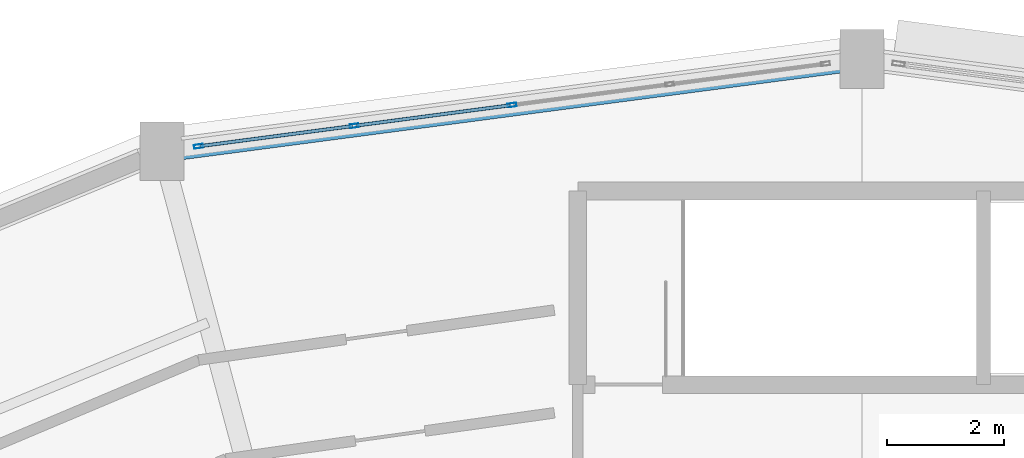
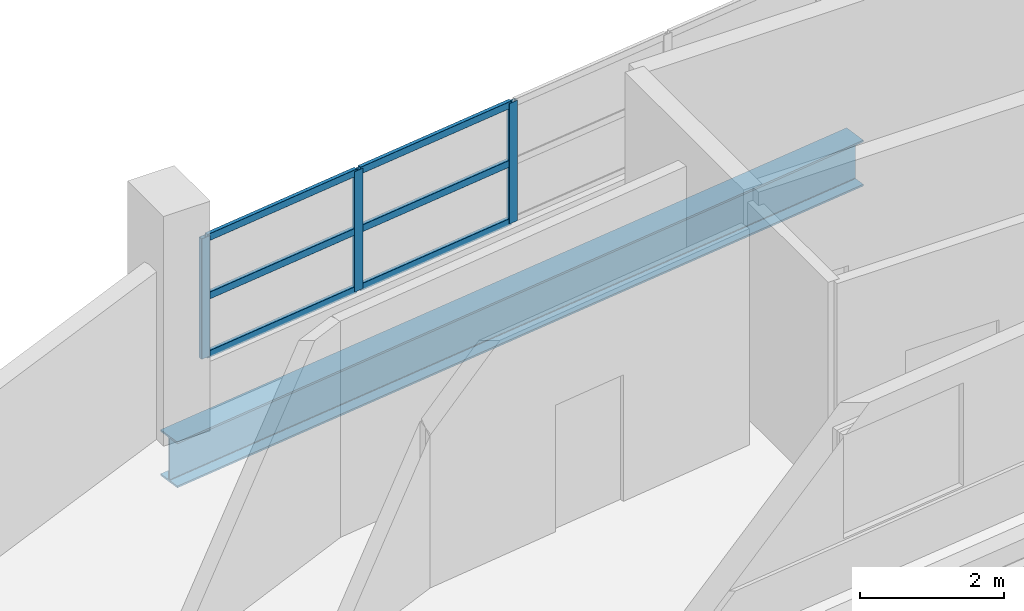
# One storey, part 30 of 53: 9 members, 1 beam, 1 element without a shape of its own.
"""IFC4 building model written with IfcOpenShell, lengths in metres."""

from ifc_helpers import new_model, si_unit, direction, frame, origin, origin_2d, place, context, subcontext, project, spatial, hollow_rectangle, i_section, extrude, material, layer, layer_set, material_profile, profile_set, type_object, element, aggregate, save


model = new_model("IFC4")

# Units and contexts
model_context = context("Model", 3, precision=1e-05, world=origin(), true_north=direction((0.0, 1.0)))
body_context = subcontext(model_context, "Body", "Model", "MODEL_VIEW")
ifc_project = project(units=[si_unit("LENGTHUNIT", "METRE"), si_unit("AREAUNIT", "SQUARE_METRE"), si_unit("VOLUMEUNIT", "CUBIC_METRE"), si_unit("PLANEANGLEUNIT", "RADIAN"), si_unit("MASSUNIT", "GRAM", prefix="KILO")], contexts=[model_context])

# Site, building, storey
site_placement = place(None, origin())
site = spatial("IfcSite", under=ifc_project, at=site_placement, CompositionType="ELEMENT")
building_placement = place(site_placement, origin())
building = spatial("IfcBuilding", under=site, at=building_placement, Name="Vespera Passage Community Centre", CompositionType="ELEMENT")
storey_placement = place(building_placement, frame((0.0, 0.0, 20.39990234375)))
storey = spatial("IfcBuildingStorey", under=building, at=storey_placement, Name="L05", CompositionType="ELEMENT", Elevation=20.39990234375)

# Beam
ifc_material_1 = material(Name="Steel ASTM A992 Grade 50", Category="steel")
ifc_material_profile_1 = material_profile(ifc_material_1, i_section(OverallWidth=0.382080078125, OverallDepth=0.779296875, WebThickness=0.01806640625, FlangeThickness=0.030029296875, FilletRadius=0.0166015625, at=origin_2d()), Name="W30X191")
ifc_profile_set_1 = profile_set([ifc_material_profile_1], Name="Steel ASTM A992 Grade 50")
beam_type = type_object("IfcBeamType", Name="BM-SP-W30X191E", PredefinedType="SPANDREL", material=ifc_profile_set_1)
beam_placement = place(storey_placement, frame((78.0, 111.60009765625, -0.649658203125), z_axis=(-0.991445178667, -0.130523782115, 0.0), x_axis=(0.130523782115, -0.991445178667, 0.0)))
element("IfcBeam", 1, at=beam_placement, inside=storey, type_object=beam_type, Name="V4 L05 Outer Spandrel 6", PredefinedType="SPANDREL", context=body_context, shape_type="SweptSolid", body=[
    extrude(i_section(OverallWidth=0.382080078125, OverallDepth=0.779296875, WebThickness=0.01806640625, FlangeThickness=0.030029296875, FilletRadius=0.0166015625, at=origin_2d()), origin(), (0.0, 0.0, 1.0), 12.03466796875),
])

# Curtain wall, members
ifc_material_2 = material(Name="Anodized aluminium 6063-T6", Category="aluminium")
ifc_layer = layer(ifc_material_2, 0.159912109375)
ifc_layer_set = layer_set([ifc_layer], Name="Anodized aluminium 6063-T6")
curtain_wall_type = type_object("IfcCurtainWallType", Name="CW-75E", PredefinedType="NOTDEFINED", material=ifc_layer_set)
curtain_wall_placement = place(storey_placement, origin())
curtain_wall = element("IfcCurtainWall", 2, at=curtain_wall_placement, inside=storey, type_object=curtain_wall_type, Name="V4 L05 Outer Ribbon Curtain Wall 6", PredefinedType="NOTDEFINED")
ifc_material_3 = material(Name="Anodized aluminium 6063-T6", Category="aluminium")
ifc_material_profile_2 = material_profile(ifc_material_3, hollow_rectangle(XDim=0.06494140625, YDim=0.14990234375, WallThickness=0.00390625, InnerFilletRadius=0.001953125, OuterFilletRadius=0.00390625, at=origin_2d()), Name="ALU150X65X4")
ifc_profile_set_2 = profile_set([ifc_material_profile_2], Name="Anodized aluminium 6063-T6")
member_type_1 = type_object("IfcMemberType", Name="MB-CWM-150E", PredefinedType="MULLION", material=ifc_profile_set_2)
member_1_placement = place(storey_placement, frame((66.688720703125, 110.11083984375, 0.820068359375), z_axis=(0.0, 0.0, 1.0), x_axis=(-0.130530818696, 0.991444252276, 0.0)))
member_1 = element("IfcMember", 3, at=member_1_placement, type_object=member_type_1, Name="CW-75E mullion 1", PredefinedType="MULLION", context=body_context, shape_type="SweptSolid", body=[
    extrude(hollow_rectangle(XDim=0.06494140625, YDim=0.14990234375, WallThickness=0.00390625, InnerFilletRadius=0.001953125, OuterFilletRadius=0.00390625, at=origin_2d()), origin(), (0.0, 0.0, 1.0), 2.0458984375),
])
member_2_placement = place(storey_placement, frame((69.345458984375, 110.460693359375, 0.820068359375), z_axis=(0.0, 0.0, 1.0), x_axis=(-0.130530818696, 0.991444252276, 0.0)))
member_2 = element("IfcMember", 4, at=member_2_placement, type_object=member_type_1, Name="CW-75E mullion 2", PredefinedType="MULLION", context=body_context, shape_type="SweptSolid", body=[
    extrude(hollow_rectangle(XDim=0.06494140625, YDim=0.14990234375, WallThickness=0.00390625, InnerFilletRadius=0.001953125, OuterFilletRadius=0.00390625, at=origin_2d()), origin(), (0.0, 0.0, 1.0), 2.0458984375),
])
member_3_placement = place(storey_placement, frame((72.0341796875, 110.814697265625, 0.820068359375), z_axis=(0.0, 0.0, 1.0), x_axis=(-0.130530818696, 0.991444252276, 0.0)))
member_3 = element("IfcMember", 5, at=member_3_placement, type_object=member_type_1, Name="CW-75E mullion 3", PredefinedType="MULLION", context=body_context, shape_type="SweptSolid", body=[
    extrude(hollow_rectangle(XDim=0.06494140625, YDim=0.14990234375, WallThickness=0.00390625, InnerFilletRadius=0.001953125, OuterFilletRadius=0.00390625, at=origin_2d()), origin(), (0.0, 0.0, 1.0), 2.0458984375),
])
ifc_material_4 = material(Name="Anodized aluminium 6063-T6", Category="aluminium")
ifc_material_profile_3 = material_profile(ifc_material_4, hollow_rectangle(XDim=0.06005859375, YDim=0.1201171875, WallThickness=0.00390625, InnerFilletRadius=0.001953125, OuterFilletRadius=0.00390625, at=origin_2d()), Name="ALU120X60X4")
ifc_profile_set_3 = profile_set([ifc_material_profile_3], Name="Anodized aluminium 6063-T6")
member_type_2 = type_object("IfcMemberType", Name="MB-CWT-120E", PredefinedType="USERDEFINED", material=ifc_profile_set_3)
member_4_placement = place(storey_placement, frame((66.720947265625, 110.114990234375, 0.85009765625), z_axis=(0.991443486455, 0.130536635342, 0.0), x_axis=(-0.130536635342, 0.991443486455, 0.0)))
member_4 = element("IfcMember", 6, at=member_4_placement, type_object=member_type_2, Name="CW-75E transom 1.1", ObjectType="TRANSOM", PredefinedType="USERDEFINED", context=body_context, shape_type="SweptSolid", body=[
    extrude(hollow_rectangle(XDim=0.06005859375, YDim=0.1201171875, WallThickness=0.00390625, InnerFilletRadius=0.001953125, OuterFilletRadius=0.00390625, at=origin_2d()), origin(), (0.0, 0.0, 1.0), 2.61474609375),
])
member_5_placement = place(storey_placement, frame((66.720947265625, 110.114990234375, 1.843017578125), z_axis=(0.991443486455, 0.130536635342, 0.0), x_axis=(-0.130536635342, 0.991443486455, 0.0)))
member_5 = element("IfcMember", 7, at=member_5_placement, type_object=member_type_2, Name="CW-75E transom 1.2", ObjectType="TRANSOM", PredefinedType="USERDEFINED", context=body_context, shape_type="SweptSolid", body=[
    extrude(hollow_rectangle(XDim=0.06005859375, YDim=0.1201171875, WallThickness=0.00390625, InnerFilletRadius=0.001953125, OuterFilletRadius=0.00390625, at=origin_2d()), origin(), (0.0, 0.0, 1.0), 2.61474609375),
])
member_6_placement = place(storey_placement, frame((66.720947265625, 110.114990234375, 2.8359375), z_axis=(0.991443486455, 0.130536635342, 0.0), x_axis=(-0.130536635342, 0.991443486455, 0.0)))
member_6 = element("IfcMember", 8, at=member_6_placement, type_object=member_type_2, Name="CW-75E transom 1.3", ObjectType="TRANSOM", PredefinedType="USERDEFINED", context=body_context, shape_type="SweptSolid", body=[
    extrude(hollow_rectangle(XDim=0.06005859375, YDim=0.1201171875, WallThickness=0.00390625, InnerFilletRadius=0.001953125, OuterFilletRadius=0.00390625, at=origin_2d()), origin(), (0.0, 0.0, 1.0), 2.61474609375),
])
member_7_placement = place(storey_placement, frame((69.377685546875, 110.46484375, 0.85009765625), z_axis=(0.991446445198, 0.130514161313, 0.0), x_axis=(-0.130514161313, 0.991446445198, 0.0)))
member_7 = element("IfcMember", 9, at=member_7_placement, type_object=member_type_2, Name="CW-75E transom 2.1", ObjectType="TRANSOM", PredefinedType="USERDEFINED", context=body_context, shape_type="SweptSolid", body=[
    extrude(hollow_rectangle(XDim=0.06005859375, YDim=0.1201171875, WallThickness=0.00390625, InnerFilletRadius=0.001953125, OuterFilletRadius=0.00390625, at=origin_2d()), origin(), (0.0, 0.0, 1.0), 2.64697265625),
])
member_8_placement = place(storey_placement, frame((69.377685546875, 110.46484375, 1.843017578125), z_axis=(0.991446445198, 0.130514161313, 0.0), x_axis=(-0.130514161313, 0.991446445198, 0.0)))
member_8 = element("IfcMember", 10, at=member_8_placement, type_object=member_type_2, Name="CW-75E transom 2.2", ObjectType="TRANSOM", PredefinedType="USERDEFINED", context=body_context, shape_type="SweptSolid", body=[
    extrude(hollow_rectangle(XDim=0.06005859375, YDim=0.1201171875, WallThickness=0.00390625, InnerFilletRadius=0.001953125, OuterFilletRadius=0.00390625, at=origin_2d()), origin(), (0.0, 0.0, 1.0), 2.64697265625),
])
member_9_placement = place(storey_placement, frame((69.377685546875, 110.46484375, 2.8359375), z_axis=(0.991446445198, 0.130514161313, 0.0), x_axis=(-0.130514161313, 0.991446445198, 0.0)))
member_9 = element("IfcMember", 11, at=member_9_placement, type_object=member_type_2, Name="CW-75E transom 2.3", ObjectType="TRANSOM", PredefinedType="USERDEFINED", context=body_context, shape_type="SweptSolid", body=[
    extrude(hollow_rectangle(XDim=0.06005859375, YDim=0.1201171875, WallThickness=0.00390625, InnerFilletRadius=0.001953125, OuterFilletRadius=0.00390625, at=origin_2d()), origin(), (0.0, 0.0, 1.0), 2.64697265625),
])
aggregate(curtain_wall, [member_1, member_2, member_3, member_4, member_5, member_6, member_7, member_8, member_9])

save(model, "model.ifc")
